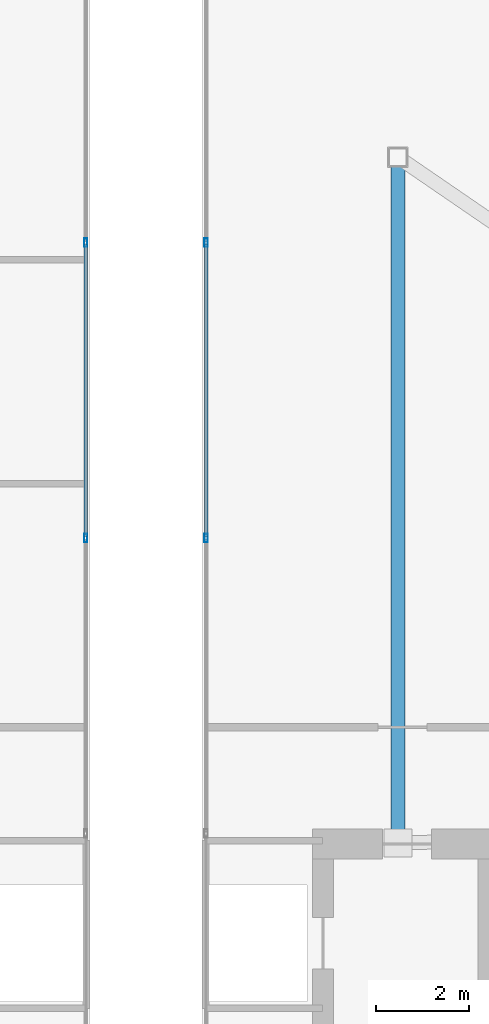
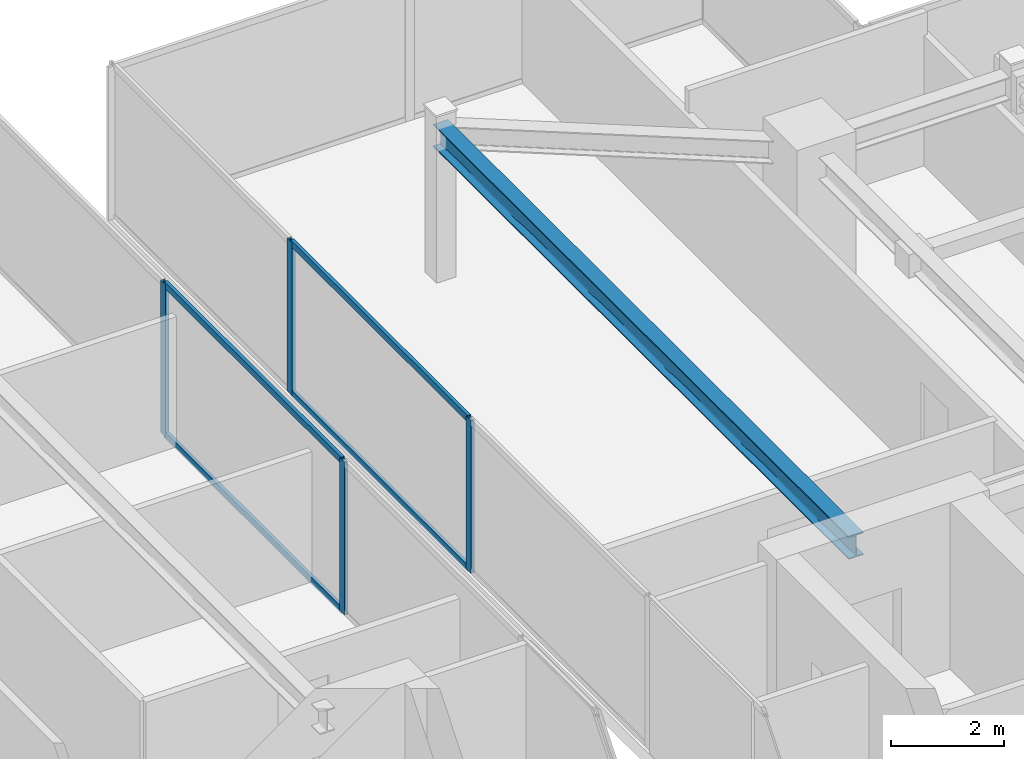
# One storey, part 14 of 25: 8 members, 1 beam, 2 elements without a shape of their own.
"""IFC4 building model written with IfcOpenShell, lengths in metres."""

from ifc_helpers import new_model, si_unit, direction, frame, origin, origin_2d, place, context, subcontext, project, spatial, hollow_rectangle, i_section, extrude, source, transform, mapped, material, material_profile, profile_set, type_object, type_shapes, element, aggregate, save


model = new_model("IFC4")

# Units and contexts
model_context = context("Model", 3, precision=1e-05, world=origin(), true_north=direction((0.0, 1.0)))
body_context = subcontext(model_context, "Body", "Model", "MODEL_VIEW")
ifc_project = project(units=[si_unit("LENGTHUNIT", "METRE"), si_unit("AREAUNIT", "SQUARE_METRE"), si_unit("VOLUMEUNIT", "CUBIC_METRE"), si_unit("PLANEANGLEUNIT", "RADIAN"), si_unit("MASSUNIT", "GRAM", prefix="KILO")], contexts=[model_context])

# Site, building, storey
site_placement = place(None, origin())
site = spatial("IfcSite", under=ifc_project, at=site_placement, CompositionType="ELEMENT")
building_placement = place(site_placement, origin())
building = spatial("IfcBuilding", under=site, at=building_placement, Name="Krantzveldt Concourse Tower", CompositionType="ELEMENT")
storey_placement = place(building_placement, frame((0.0, 0.0, 374.64990234375)))
storey = spatial("IfcBuildingStorey", under=building, at=storey_placement, Name="L92", CompositionType="ELEMENT", Elevation=374.64990234375)

# Beam
ifc_material_1 = material(Name="Steel S355JR", Category="steel")
ifc_material_profile_1 = material_profile(ifc_material_1, i_section(OverallWidth=0.300048828125, OverallDepth=0.489990234375, WebThickness=0.011962890625, FlangeThickness=0.02294921875, FilletRadius=0.027099609375, at=origin_2d()), Name="Steel S355JR", Category="steel")
ifc_profile_set_1 = profile_set([ifc_material_profile_1], Name="Steel S355JR - HEA 500")
beam_type = type_object("IfcBeamType", Name="BM-B-HEA500", PredefinedType="BEAM", material=ifc_profile_set_1)
shared_shape_1 = source(origin(), body_context, "Body", "SweptSolid", [
    extrude(i_section(OverallWidth=0.300048828125, OverallDepth=0.489990234375, WebThickness=0.011962890625, FlangeThickness=0.02294921875, FilletRadius=0.027099609375, at=origin_2d()), origin(), (0.0, 0.0, 1.0), 14.699951171875),
])
type_shapes(beam_type, [shared_shape_1])
beam_placement = place(storey_placement, frame((41.39990234375, 41.199951171875, 3.05517578125), z_axis=(0.0, -1.0, 0.0), x_axis=(1.0, 0.0, 0.0)))
element("IfcBeam", 1, at=beam_placement, inside=storey, type_object=beam_type, Name="L92 Crown Girder EAST-5", PredefinedType="BEAM", context=body_context, shape_type="MappedRepresentation", body=[
    mapped(shared_shape_1, transform((0.0, 0.0, 0.0), x_axis=(1.0, 0.0, 0.0), y_axis=(0.0, 1.0, 0.0), z_axis=(0.0, 0.0, 1.0), scale=1.0)),
])

# Curtain wall, members
ifc_material_2 = material(Name="Anodised aluminium 6063-T6", Category="aluminium")
curtain_wall_type = type_object("IfcCurtainWallType", Name="CW7", PredefinedType="USERDEFINED", material=ifc_material_2)
curtain_wall_1_placement = place(storey_placement, origin())
curtain_wall_1 = element("IfcCurtainWall", 2, at=curtain_wall_1_placement, inside=storey, type_object=curtain_wall_type, Name="CW-L92-WEST-01", ObjectType="UNITISED CURTAIN WALL", PredefinedType="USERDEFINED")
ifc_material_profile_2 = material_profile(ifc_material_2, hollow_rectangle(XDim=0.070068359375, YDim=0.139892578125, WallThickness=0.0048828125, at=origin_2d()), Name="Anodised aluminium 6063-T6", Category="aluminium")
ifc_profile_set_2 = profile_set([ifc_material_profile_2], Name="Anodised aluminium 6063-T6 - ALU-TRAN 140x70x5")
member_type_1 = type_object("IfcMemberType", Name="CW-TRN-150", PredefinedType="USERDEFINED", material=ifc_profile_set_2)
shared_shape_2 = source(origin(), body_context, "Body", "SweptSolid", [
    extrude(hollow_rectangle(XDim=0.070068359375, YDim=0.139892578125, WallThickness=0.0048828125, at=origin_2d()), origin(), (0.0, 0.0, 1.0), 6.263427734375),
])
type_shapes(member_type_1, [shared_shape_2])
member_1_placement = place(storey_placement, frame((34.7099609375, 33.068359375, 0.03515625), z_axis=(0.0, 1.0, 0.0), x_axis=(-1.0, 0.0, 0.0)))
member_1 = element("IfcMember", 3, at=member_1_placement, type_object=member_type_1, Name="CW-CRN transom 5.1", ObjectType="TRANSOM", PredefinedType="USERDEFINED", context=body_context, shape_type="MappedRepresentation", body=[
    mapped(shared_shape_2, transform((0.0, 0.0, 0.0), x_axis=(1.0, 0.0, 0.0), y_axis=(0.0, 1.0, 0.0), z_axis=(0.0, 0.0, 1.0), scale=1.0)),
])
member_2_placement = place(storey_placement, frame((34.7099609375, 33.068359375, 3.26513671875), z_axis=(0.0, 1.0, 0.0), x_axis=(-1.0, 0.0, 0.0)))
member_2 = element("IfcMember", 4, at=member_2_placement, type_object=member_type_1, Name="CW-CRN transom 5.2", ObjectType="TRANSOM", PredefinedType="USERDEFINED", context=body_context, shape_type="MappedRepresentation", body=[
    mapped(shared_shape_2, transform((0.0, 0.0, 0.0), x_axis=(1.0, 0.0, 0.0), y_axis=(0.0, 1.0, 0.0), z_axis=(0.0, 0.0, 1.0), scale=1.0)),
])

curtain_wall_2_placement = place(storey_placement, origin())
curtain_wall_2 = element("IfcCurtainWall", 5, at=curtain_wall_2_placement, inside=storey, type_object=curtain_wall_type, Name="CW-L92-EAST-07", ObjectType="UNITISED CURTAIN WALL", PredefinedType="USERDEFINED")
member_3_placement = place(storey_placement, frame((37.2900390625, 39.331787109375, 0.03515625), z_axis=(0.0, -1.0, 0.0), x_axis=(1.0, 0.0, 0.0)))
member_3 = element("IfcMember", 6, at=member_3_placement, type_object=member_type_1, Name="CW-CRN transom 2.1", ObjectType="TRANSOM", PredefinedType="USERDEFINED", context=body_context, shape_type="MappedRepresentation", body=[
    mapped(shared_shape_2, transform((0.0, 0.0, 0.0), x_axis=(1.0, 0.0, 0.0), y_axis=(0.0, 1.0, 0.0), z_axis=(0.0, 0.0, 1.0), scale=1.0)),
])
member_4_placement = place(storey_placement, frame((37.2900390625, 39.331787109375, 3.26513671875), z_axis=(0.0, -1.0, 0.0), x_axis=(1.0, 0.0, 0.0)))
member_4 = element("IfcMember", 7, at=member_4_placement, type_object=member_type_1, Name="CW-CRN transom 2.2", ObjectType="TRANSOM", PredefinedType="USERDEFINED", context=body_context, shape_type="MappedRepresentation", body=[
    mapped(shared_shape_2, transform((0.0, 0.0, 0.0), x_axis=(1.0, 0.0, 0.0), y_axis=(0.0, 1.0, 0.0), z_axis=(0.0, 0.0, 1.0), scale=1.0)),
])

# Member
ifc_material_profile_3 = material_profile(ifc_material_2, hollow_rectangle(XDim=0.070068359375, YDim=0.179931640625, WallThickness=0.0048828125, at=origin_2d()), Name="Anodised aluminium 6063-T6", Category="aluminium")
ifc_profile_set_3 = profile_set([ifc_material_profile_3], Name="Anodised aluminium 6063-T6 - ALU-MULL 180x70x5")
member_type_2 = type_object("IfcMemberType", Name="CW-MUL-180", PredefinedType="MULLION", material=ifc_profile_set_3)
shared_shape_3 = source(origin(), body_context, "Body", "SweptSolid", [
    extrude(hollow_rectangle(XDim=0.070068359375, YDim=0.179931640625, WallThickness=0.0048828125, at=origin_2d()), origin(), (0.0, 0.0, 1.0), 3.300048828125),
])
type_shapes(member_type_2, [shared_shape_3])
member_5_placement = place(storey_placement, frame((34.7099609375, 33.033447265625, 0.0), z_axis=(0.0, 0.0, 1.0), x_axis=(-1.0, 0.0, 0.0)))
member_5 = element("IfcMember", 8, at=member_5_placement, type_object=member_type_2, Name="CW-CRN mullion 5", PredefinedType="MULLION", context=body_context, shape_type="MappedRepresentation", body=[
    mapped(shared_shape_3, transform((0.0, 0.0, 0.0), x_axis=(1.0, 0.0, 0.0), y_axis=(0.0, 1.0, 0.0), z_axis=(0.0, 0.0, 1.0), scale=1.0)),
])

member_6_placement = place(storey_placement, frame((34.7099609375, 39.36669921875, 0.0), z_axis=(0.0, 0.0, 1.0), x_axis=(-1.0, 0.0, 0.0)))
member_6 = element("IfcMember", 9, at=member_6_placement, type_object=member_type_2, Name="CW-CRN mullion 6", PredefinedType="MULLION", context=body_context, shape_type="MappedRepresentation", body=[
    mapped(shared_shape_3, transform((0.0, 0.0, 0.0), x_axis=(1.0, 0.0, 0.0), y_axis=(0.0, 1.0, 0.0), z_axis=(0.0, 0.0, 1.0), scale=1.0)),
])

aggregate(curtain_wall_1, [member_5, member_6, member_1, member_2])

member_7_placement = place(storey_placement, frame((37.2900390625, 39.36669921875, 0.0), z_axis=(0.0, 0.0, 1.0), x_axis=(1.0, 0.0, 0.0)))
member_7 = element("IfcMember", 10, at=member_7_placement, type_object=member_type_2, Name="CW-CRN mullion 2", PredefinedType="MULLION", context=body_context, shape_type="MappedRepresentation", body=[
    mapped(shared_shape_3, transform((0.0, 0.0, 0.0), x_axis=(1.0, 0.0, 0.0), y_axis=(0.0, 1.0, 0.0), z_axis=(0.0, 0.0, 1.0), scale=1.0)),
])

member_8_placement = place(storey_placement, frame((37.2900390625, 33.033447265625, 0.0), z_axis=(0.0, 0.0, 1.0), x_axis=(1.0, 0.0, 0.0)))
member_8 = element("IfcMember", 11, at=member_8_placement, type_object=member_type_2, Name="CW-CRN mullion 3", PredefinedType="MULLION", context=body_context, shape_type="MappedRepresentation", body=[
    mapped(shared_shape_3, transform((0.0, 0.0, 0.0), x_axis=(1.0, 0.0, 0.0), y_axis=(0.0, 1.0, 0.0), z_axis=(0.0, 0.0, 1.0), scale=1.0)),
])

aggregate(curtain_wall_2, [member_7, member_8, member_3, member_4])

save(model, "model.ifc")
